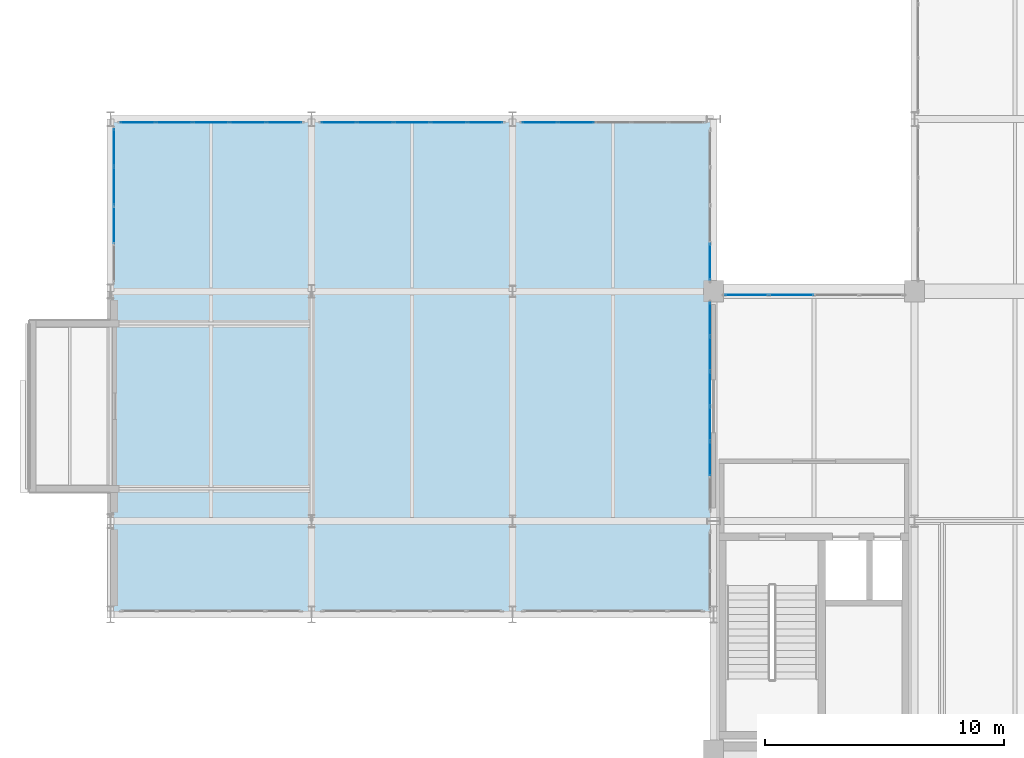
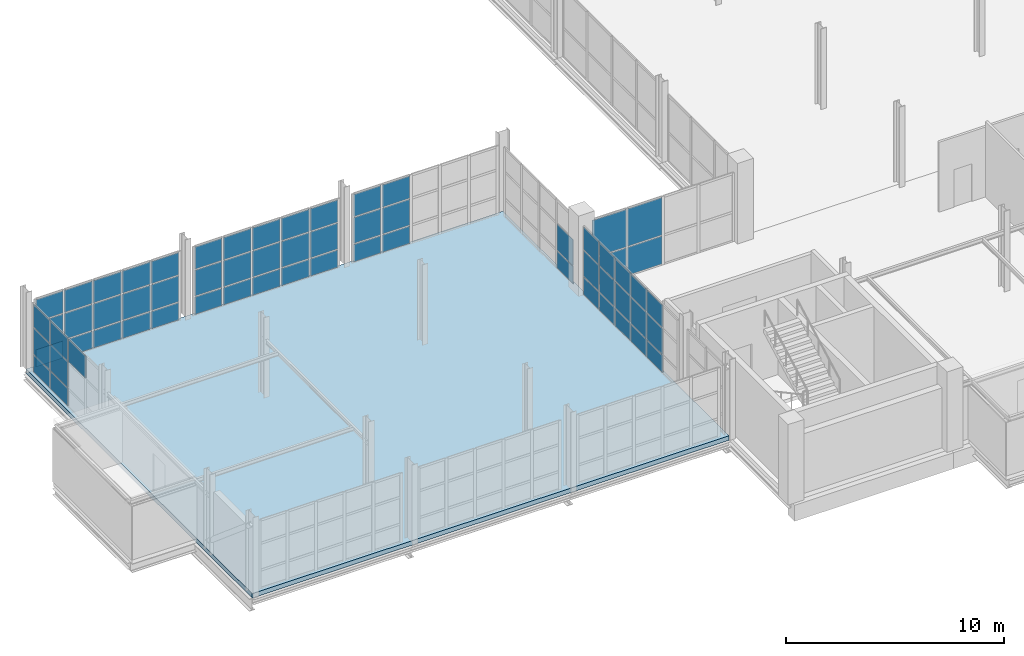
# One storey, part 86 of 109: 64 plates, 1 slab, 7 elements without a shape of their own.
"""IFC4 building model written with IfcOpenShell, lengths in metres."""

from ifc_helpers import new_model, si_unit, direction, frame, origin, origin_2d, place, context, subcontext, project, spatial, polyline, rectangle, outline, extrude, material, layer, layer_set, type_object, element, aggregate, save


model = new_model("IFC4")

# Units and contexts
model_context = context("Model", 3, precision=1e-05, world=origin(), true_north=direction((0.0, 1.0)))
body_context = subcontext(model_context, "Body", "Model", "MODEL_VIEW")
ifc_project = project(units=[si_unit("LENGTHUNIT", "METRE"), si_unit("AREAUNIT", "SQUARE_METRE"), si_unit("VOLUMEUNIT", "CUBIC_METRE"), si_unit("PLANEANGLEUNIT", "RADIAN"), si_unit("MASSUNIT", "GRAM", prefix="KILO")], contexts=[model_context])

# Site, building, storey
site_placement = place(None, origin())
site = spatial("IfcSite", under=ifc_project, at=site_placement, CompositionType="ELEMENT")
building_placement = place(site_placement, origin())
building = spatial("IfcBuilding", under=site, at=building_placement, Name="Veltarok Museum of Natural Sciences", CompositionType="ELEMENT")
storey_placement = place(building_placement, frame((0.0, 0.0, 17.39990234375)))
storey = spatial("IfcBuildingStorey", under=building, at=storey_placement, Name="L03", CompositionType="ELEMENT", Elevation=17.39990234375)

# Slab
ifc_material_1 = material(Name="Concrete C40/50", Category="concrete")
ifc_layer_1 = layer(ifc_material_1, 0.25)
ifc_layer_set_1 = layer_set([ifc_layer_1], Name="Concrete C40/50")
slab_type = type_object("IfcSlabType", Name="Paleontology Bridge Composite Deck 250", PredefinedType="FLOOR", material=ifc_layer_set_1)
slab_placement = place(storey_placement, frame((0.0, 0.0, -0.25)))
element("IfcSlab", 1, at=slab_placement, inside=storey, type_object=slab_type, Name="Floor Slab L03 V4", PredefinedType="FLOOR", context=body_context, shape_type="SweptSolid", body=[
    extrude(outline(polyline([(6.39990234375, 5.699951171875), (6.39990234375, 26.39990234375), (31.60009765625, 26.39990234375), (31.60009765625, 5.699951171875), (6.39990234375, 5.699951171875)])), origin(), (0.0, 0.0, 1.0), 0.25),
])

# Curtain wall, plates
ifc_material_2 = material(Name="Low-iron triple insulated glass", Category="glass")
curtain_wall_type_1 = type_object("IfcCurtainWallType", Name="Curtain Wall System CW-BRG-E-L03-BC-876x388 (Bridge East Court L03 BC 876x388cm)", PredefinedType="NOTDEFINED", material=ifc_material_2)
curtain_wall_1_placement = place(storey_placement, origin())
curtain_wall_1 = element("IfcCurtainWall", 2, at=curtain_wall_1_placement, inside=storey, type_object=curtain_wall_type_1, Name="Curtain Wall CW-BRG-E-L03-BC-876x388 CW-0041", PredefinedType="NOTDEFINED")
ifc_layer_2 = layer(ifc_material_2, 0.028076171875)
ifc_layer_set_2 = layer_set([ifc_layer_2], Name="Low-iron triple insulated glass")
plate_type = type_object("IfcPlateType", Name="Triple Low-Iron Glazed Vision Panel 28", PredefinedType="CURTAIN_PANEL", material=ifc_layer_set_2)
plate_1_placement = place(storey_placement, frame((31.449951171875, 12.2099609375, 0.06005859375), z_axis=(0.0, 0.0, 1.0), x_axis=(0.0, 1.0, 0.0)))
plate_1 = element("IfcPlate", 3, at=plate_1_placement, type_object=plate_type, Name="CW-BRG-E-L03-BC-876x388 panel 2.1", PredefinedType="CURTAIN_PANEL", context=body_context, shape_type="SweptSolid", body=[
    extrude(rectangle(XDim=1.39990234375, YDim=0.028076171875, at=origin_2d()), origin(), (0.0, 0.0, 1.0), 0.9599609375),
])
plate_2_placement = place(storey_placement, frame((31.449951171875, 12.2099609375, 1.080078125), z_axis=(0.0, 0.0, 1.0), x_axis=(0.0, 1.0, 0.0)))
plate_2 = element("IfcPlate", 4, at=plate_2_placement, type_object=plate_type, Name="CW-BRG-E-L03-BC-876x388 panel 2.2", PredefinedType="CURTAIN_PANEL", context=body_context, shape_type="SweptSolid", body=[
    extrude(rectangle(XDim=1.39990234375, YDim=0.028076171875, at=origin_2d()), origin(), (0.0, 0.0, 1.0), 1.43994140625),
])
plate_3_placement = place(storey_placement, frame((31.449951171875, 12.2099609375, 2.580078125), z_axis=(0.0, 0.0, 1.0), x_axis=(0.0, 1.0, 0.0)))
plate_3 = element("IfcPlate", 5, at=plate_3_placement, type_object=plate_type, Name="CW-BRG-E-L03-BC-876x388 panel 2.3", PredefinedType="CURTAIN_PANEL", context=body_context, shape_type="SweptSolid", body=[
    extrude(rectangle(XDim=1.39990234375, YDim=0.028076171875, at=origin_2d()), origin(), (0.0, 0.0, 1.0), 1.239990234375),
])
plate_4_placement = place(storey_placement, frame((31.449951171875, 13.669921875, 0.06005859375), z_axis=(0.0, 0.0, 1.0), x_axis=(0.0, 1.0, 0.0)))
plate_4 = element("IfcPlate", 6, at=plate_4_placement, type_object=plate_type, Name="CW-BRG-E-L03-BC-876x388 panel 3.1", PredefinedType="CURTAIN_PANEL", context=body_context, shape_type="SweptSolid", body=[
    extrude(rectangle(XDim=1.39990234375, YDim=0.028076171875, at=origin_2d()), origin(), (0.0, 0.0, 1.0), 0.9599609375),
])
plate_5_placement = place(storey_placement, frame((31.449951171875, 13.669921875, 1.080078125), z_axis=(0.0, 0.0, 1.0), x_axis=(0.0, 1.0, 0.0)))
plate_5 = element("IfcPlate", 7, at=plate_5_placement, type_object=plate_type, Name="CW-BRG-E-L03-BC-876x388 panel 3.2", PredefinedType="CURTAIN_PANEL", context=body_context, shape_type="SweptSolid", body=[
    extrude(rectangle(XDim=1.39990234375, YDim=0.028076171875, at=origin_2d()), origin(), (0.0, 0.0, 1.0), 1.43994140625),
])
plate_6_placement = place(storey_placement, frame((31.449951171875, 13.669921875, 2.580078125), z_axis=(0.0, 0.0, 1.0), x_axis=(0.0, 1.0, 0.0)))
plate_6 = element("IfcPlate", 8, at=plate_6_placement, type_object=plate_type, Name="CW-BRG-E-L03-BC-876x388 panel 3.3", PredefinedType="CURTAIN_PANEL", context=body_context, shape_type="SweptSolid", body=[
    extrude(rectangle(XDim=1.39990234375, YDim=0.028076171875, at=origin_2d()), origin(), (0.0, 0.0, 1.0), 1.239990234375),
])
plate_7_placement = place(storey_placement, frame((31.449951171875, 15.1298828125, 0.06005859375), z_axis=(0.0, 0.0, 1.0), x_axis=(0.0, 1.0, 0.0)))
plate_7 = element("IfcPlate", 9, at=plate_7_placement, type_object=plate_type, Name="CW-BRG-E-L03-BC-876x388 panel 4.1", PredefinedType="CURTAIN_PANEL", context=body_context, shape_type="SweptSolid", body=[
    extrude(rectangle(XDim=1.39990234375, YDim=0.028076171875, at=origin_2d()), origin(), (0.0, 0.0, 1.0), 0.9599609375),
])
plate_8_placement = place(storey_placement, frame((31.449951171875, 15.1298828125, 1.080078125), z_axis=(0.0, 0.0, 1.0), x_axis=(0.0, 1.0, 0.0)))
plate_8 = element("IfcPlate", 10, at=plate_8_placement, type_object=plate_type, Name="CW-BRG-E-L03-BC-876x388 panel 4.2", PredefinedType="CURTAIN_PANEL", context=body_context, shape_type="SweptSolid", body=[
    extrude(rectangle(XDim=1.39990234375, YDim=0.028076171875, at=origin_2d()), origin(), (0.0, 0.0, 1.0), 1.43994140625),
])
plate_9_placement = place(storey_placement, frame((31.449951171875, 15.1298828125, 2.580078125), z_axis=(0.0, 0.0, 1.0), x_axis=(0.0, 1.0, 0.0)))
plate_9 = element("IfcPlate", 11, at=plate_9_placement, type_object=plate_type, Name="CW-BRG-E-L03-BC-876x388 panel 4.3", PredefinedType="CURTAIN_PANEL", context=body_context, shape_type="SweptSolid", body=[
    extrude(rectangle(XDim=1.39990234375, YDim=0.028076171875, at=origin_2d()), origin(), (0.0, 0.0, 1.0), 1.239990234375),
])
plate_10_placement = place(storey_placement, frame((31.449951171875, 16.590087890625, 0.06005859375), z_axis=(0.0, 0.0, 1.0), x_axis=(0.0, 1.0, 0.0)))
plate_10 = element("IfcPlate", 12, at=plate_10_placement, type_object=plate_type, Name="CW-BRG-E-L03-BC-876x388 panel 5.1", PredefinedType="CURTAIN_PANEL", context=body_context, shape_type="SweptSolid", body=[
    extrude(rectangle(XDim=1.39990234375, YDim=0.028076171875, at=origin_2d()), origin(), (0.0, 0.0, 1.0), 0.9599609375),
])
plate_11_placement = place(storey_placement, frame((31.449951171875, 16.590087890625, 1.080078125), z_axis=(0.0, 0.0, 1.0), x_axis=(0.0, 1.0, 0.0)))
plate_11 = element("IfcPlate", 13, at=plate_11_placement, type_object=plate_type, Name="CW-BRG-E-L03-BC-876x388 panel 5.2", PredefinedType="CURTAIN_PANEL", context=body_context, shape_type="SweptSolid", body=[
    extrude(rectangle(XDim=1.39990234375, YDim=0.028076171875, at=origin_2d()), origin(), (0.0, 0.0, 1.0), 1.43994140625),
])
plate_12_placement = place(storey_placement, frame((31.449951171875, 16.590087890625, 2.580078125), z_axis=(0.0, 0.0, 1.0), x_axis=(0.0, 1.0, 0.0)))
plate_12 = element("IfcPlate", 14, at=plate_12_placement, type_object=plate_type, Name="CW-BRG-E-L03-BC-876x388 panel 5.3", PredefinedType="CURTAIN_PANEL", context=body_context, shape_type="SweptSolid", body=[
    extrude(rectangle(XDim=1.39990234375, YDim=0.028076171875, at=origin_2d()), origin(), (0.0, 0.0, 1.0), 1.239990234375),
])
plate_13_placement = place(storey_placement, frame((31.449951171875, 18.034912109375, 0.06005859375), z_axis=(0.0, 0.0, 1.0), x_axis=(0.0, 1.0, 0.0)))
plate_13 = element("IfcPlate", 15, at=plate_13_placement, type_object=plate_type, Name="CW-BRG-E-L03-BC-876x388 panel 6.1", PredefinedType="CURTAIN_PANEL", context=body_context, shape_type="SweptSolid", body=[
    extrude(rectangle(XDim=1.3701171875, YDim=0.028076171875, at=origin_2d()), origin(), (0.0, 0.0, 1.0), 0.9599609375),
])
plate_14_placement = place(storey_placement, frame((31.449951171875, 18.034912109375, 1.080078125), z_axis=(0.0, 0.0, 1.0), x_axis=(0.0, 1.0, 0.0)))
plate_14 = element("IfcPlate", 16, at=plate_14_placement, type_object=plate_type, Name="CW-BRG-E-L03-BC-876x388 panel 6.2", PredefinedType="CURTAIN_PANEL", context=body_context, shape_type="SweptSolid", body=[
    extrude(rectangle(XDim=1.3701171875, YDim=0.028076171875, at=origin_2d()), origin(), (0.0, 0.0, 1.0), 1.43994140625),
])
plate_15_placement = place(storey_placement, frame((31.449951171875, 18.034912109375, 2.580078125), z_axis=(0.0, 0.0, 1.0), x_axis=(0.0, 1.0, 0.0)))
plate_15 = element("IfcPlate", 17, at=plate_15_placement, type_object=plate_type, Name="CW-BRG-E-L03-BC-876x388 panel 6.3", PredefinedType="CURTAIN_PANEL", context=body_context, shape_type="SweptSolid", body=[
    extrude(rectangle(XDim=1.3701171875, YDim=0.028076171875, at=origin_2d()), origin(), (0.0, 0.0, 1.0), 1.239990234375),
])
aggregate(curtain_wall_1, [plate_1, plate_2, plate_3, plate_4, plate_5, plate_6, plate_7, plate_8, plate_9, plate_10, plate_11, plate_12, plate_13, plate_14, plate_15])

curtain_wall_type_2 = type_object("IfcCurtainWallType", Name="Curtain Wall System CW-BRG-E-L03-CD-636x388 (Bridge East Court L03 CD 636x388cm)", PredefinedType="NOTDEFINED", material=ifc_material_2)
curtain_wall_2_placement = place(storey_placement, origin())
curtain_wall_2 = element("IfcCurtainWall", 18, at=curtain_wall_2_placement, inside=storey, type_object=curtain_wall_type_2, Name="Curtain Wall CW-BRG-E-L03-CD-636x388 CW-0042", PredefinedType="NOTDEFINED")
plate_16_placement = place(storey_placement, frame((31.449951171875, 20.429931640625, 0.06005859375), z_axis=(0.0, 0.0, 1.0), x_axis=(0.0, 1.0, 0.0)))
plate_16 = element("IfcPlate", 19, at=plate_16_placement, type_object=plate_type, Name="CW-BRG-E-L03-CD-636x388 panel 1.1", PredefinedType="CURTAIN_PANEL", context=body_context, shape_type="SweptSolid", body=[
    extrude(rectangle(XDim=1.5, YDim=0.028076171875, at=origin_2d()), origin(), (0.0, 0.0, 1.0), 0.9599609375),
])
plate_17_placement = place(storey_placement, frame((31.449951171875, 20.429931640625, 1.080078125), z_axis=(0.0, 0.0, 1.0), x_axis=(0.0, 1.0, 0.0)))
plate_17 = element("IfcPlate", 20, at=plate_17_placement, type_object=plate_type, Name="CW-BRG-E-L03-CD-636x388 panel 1.2", PredefinedType="CURTAIN_PANEL", context=body_context, shape_type="SweptSolid", body=[
    extrude(rectangle(XDim=1.5, YDim=0.028076171875, at=origin_2d()), origin(), (0.0, 0.0, 1.0), 1.43994140625),
])
aggregate(curtain_wall_2, [plate_16, plate_17])

curtain_wall_type_3 = type_object("IfcCurtainWallType", Name="Curtain Wall System CW-BRG-N-L03-1-768x388 (Bridge North Court L03 1-2 768x388cm)", PredefinedType="NOTDEFINED", material=ifc_material_2)
curtain_wall_3_placement = place(storey_placement, origin())
curtain_wall_3 = element("IfcCurtainWall", 21, at=curtain_wall_3_placement, inside=storey, type_object=curtain_wall_type_3, Name="Curtain Wall CW-BRG-N-L03-1-768x388 CW-0043", PredefinedType="NOTDEFINED")
plate_18_placement = place(storey_placement, frame((13.656982421875, 26.25, 0.06005859375), z_axis=(0.0, 0.0, 1.0), x_axis=(-1.0, 0.0, 0.0)))
plate_18 = element("IfcPlate", 22, at=plate_18_placement, type_object=plate_type, Name="CW-BRG-N-L03-1-768x388 panel 1.1", PredefinedType="CURTAIN_PANEL", context=body_context, shape_type="SweptSolid", body=[
    extrude(rectangle(XDim=1.446044921875, YDim=0.028076171875, at=origin_2d()), origin(), (0.0, 0.0, 1.0), 0.9599609375),
])
plate_19_placement = place(storey_placement, frame((13.656982421875, 26.25, 1.080078125), z_axis=(0.0, 0.0, 1.0), x_axis=(-1.0, 0.0, 0.0)))
plate_19 = element("IfcPlate", 23, at=plate_19_placement, type_object=plate_type, Name="CW-BRG-N-L03-1-768x388 panel 1.2", PredefinedType="CURTAIN_PANEL", context=body_context, shape_type="SweptSolid", body=[
    extrude(rectangle(XDim=1.446044921875, YDim=0.028076171875, at=origin_2d()), origin(), (0.0, 0.0, 1.0), 1.43994140625),
])
plate_20_placement = place(storey_placement, frame((13.656982421875, 26.25, 2.580078125), z_axis=(0.0, 0.0, 1.0), x_axis=(-1.0, 0.0, 0.0)))
plate_20 = element("IfcPlate", 24, at=plate_20_placement, type_object=plate_type, Name="CW-BRG-N-L03-1-768x388 panel 1.3", PredefinedType="CURTAIN_PANEL", context=body_context, shape_type="SweptSolid", body=[
    extrude(rectangle(XDim=1.446044921875, YDim=0.028076171875, at=origin_2d()), origin(), (0.0, 0.0, 1.0), 1.239990234375),
])
plate_21_placement = place(storey_placement, frame((12.135986328125, 26.25, 0.06005859375), z_axis=(0.0, 0.0, 1.0), x_axis=(-1.0, 0.0, 0.0)))
plate_21 = element("IfcPlate", 25, at=plate_21_placement, type_object=plate_type, Name="CW-BRG-N-L03-1-768x388 panel 2.1", PredefinedType="CURTAIN_PANEL", context=body_context, shape_type="SweptSolid", body=[
    extrude(rectangle(XDim=1.47607421875, YDim=0.028076171875, at=origin_2d()), origin(), (0.0, 0.0, 1.0), 0.9599609375),
])
plate_22_placement = place(storey_placement, frame((12.135986328125, 26.25, 1.080078125), z_axis=(0.0, 0.0, 1.0), x_axis=(-1.0, 0.0, 0.0)))
plate_22 = element("IfcPlate", 26, at=plate_22_placement, type_object=plate_type, Name="CW-BRG-N-L03-1-768x388 panel 2.2", PredefinedType="CURTAIN_PANEL", context=body_context, shape_type="SweptSolid", body=[
    extrude(rectangle(XDim=1.47607421875, YDim=0.028076171875, at=origin_2d()), origin(), (0.0, 0.0, 1.0), 1.43994140625),
])
plate_23_placement = place(storey_placement, frame((12.135986328125, 26.25, 2.580078125), z_axis=(0.0, 0.0, 1.0), x_axis=(-1.0, 0.0, 0.0)))
plate_23 = element("IfcPlate", 27, at=plate_23_placement, type_object=plate_type, Name="CW-BRG-N-L03-1-768x388 panel 2.3", PredefinedType="CURTAIN_PANEL", context=body_context, shape_type="SweptSolid", body=[
    extrude(rectangle(XDim=1.47607421875, YDim=0.028076171875, at=origin_2d()), origin(), (0.0, 0.0, 1.0), 1.239990234375),
])
plate_24_placement = place(storey_placement, frame((10.60009765625, 26.25, 0.06005859375), z_axis=(0.0, 0.0, 1.0), x_axis=(-1.0, 0.0, 0.0)))
plate_24 = element("IfcPlate", 28, at=plate_24_placement, type_object=plate_type, Name="CW-BRG-N-L03-1-768x388 panel 3.1", PredefinedType="CURTAIN_PANEL", context=body_context, shape_type="SweptSolid", body=[
    extrude(rectangle(XDim=1.47607421875, YDim=0.028076171875, at=origin_2d()), origin(), (0.0, 0.0, 1.0), 0.9599609375),
])
plate_25_placement = place(storey_placement, frame((10.60009765625, 26.25, 1.080078125), z_axis=(0.0, 0.0, 1.0), x_axis=(-1.0, 0.0, 0.0)))
plate_25 = element("IfcPlate", 29, at=plate_25_placement, type_object=plate_type, Name="CW-BRG-N-L03-1-768x388 panel 3.2", PredefinedType="CURTAIN_PANEL", context=body_context, shape_type="SweptSolid", body=[
    extrude(rectangle(XDim=1.47607421875, YDim=0.028076171875, at=origin_2d()), origin(), (0.0, 0.0, 1.0), 1.43994140625),
])
plate_26_placement = place(storey_placement, frame((10.60009765625, 26.25, 2.580078125), z_axis=(0.0, 0.0, 1.0), x_axis=(-1.0, 0.0, 0.0)))
plate_26 = element("IfcPlate", 30, at=plate_26_placement, type_object=plate_type, Name="CW-BRG-N-L03-1-768x388 panel 3.3", PredefinedType="CURTAIN_PANEL", context=body_context, shape_type="SweptSolid", body=[
    extrude(rectangle(XDim=1.47607421875, YDim=0.028076171875, at=origin_2d()), origin(), (0.0, 0.0, 1.0), 1.239990234375),
])
plate_27_placement = place(storey_placement, frame((9.06396484375, 26.25, 0.06005859375), z_axis=(0.0, 0.0, 1.0), x_axis=(-1.0, 0.0, 0.0)))
plate_27 = element("IfcPlate", 31, at=plate_27_placement, type_object=plate_type, Name="CW-BRG-N-L03-1-768x388 panel 4.1", PredefinedType="CURTAIN_PANEL", context=body_context, shape_type="SweptSolid", body=[
    extrude(rectangle(XDim=1.47607421875, YDim=0.028076171875, at=origin_2d()), origin(), (0.0, 0.0, 1.0), 0.9599609375),
])
plate_28_placement = place(storey_placement, frame((9.06396484375, 26.25, 1.080078125), z_axis=(0.0, 0.0, 1.0), x_axis=(-1.0, 0.0, 0.0)))
plate_28 = element("IfcPlate", 32, at=plate_28_placement, type_object=plate_type, Name="CW-BRG-N-L03-1-768x388 panel 4.2", PredefinedType="CURTAIN_PANEL", context=body_context, shape_type="SweptSolid", body=[
    extrude(rectangle(XDim=1.47607421875, YDim=0.028076171875, at=origin_2d()), origin(), (0.0, 0.0, 1.0), 1.43994140625),
])
plate_29_placement = place(storey_placement, frame((9.06396484375, 26.25, 2.580078125), z_axis=(0.0, 0.0, 1.0), x_axis=(-1.0, 0.0, 0.0)))
plate_29 = element("IfcPlate", 33, at=plate_29_placement, type_object=plate_type, Name="CW-BRG-N-L03-1-768x388 panel 4.3", PredefinedType="CURTAIN_PANEL", context=body_context, shape_type="SweptSolid", body=[
    extrude(rectangle(XDim=1.47607421875, YDim=0.028076171875, at=origin_2d()), origin(), (0.0, 0.0, 1.0), 1.239990234375),
])
plate_30_placement = place(storey_placement, frame((7.54296875, 26.25, 0.06005859375), z_axis=(0.0, 0.0, 1.0), x_axis=(-1.0, 0.0, 0.0)))
plate_30 = element("IfcPlate", 34, at=plate_30_placement, type_object=plate_type, Name="CW-BRG-N-L03-1-768x388 panel 5.1", PredefinedType="CURTAIN_PANEL", context=body_context, shape_type="SweptSolid", body=[
    extrude(rectangle(XDim=1.446044921875, YDim=0.028076171875, at=origin_2d()), origin(), (0.0, 0.0, 1.0), 0.9599609375),
])
plate_31_placement = place(storey_placement, frame((7.54296875, 26.25, 1.080078125), z_axis=(0.0, 0.0, 1.0), x_axis=(-1.0, 0.0, 0.0)))
plate_31 = element("IfcPlate", 35, at=plate_31_placement, type_object=plate_type, Name="CW-BRG-N-L03-1-768x388 panel 5.2", PredefinedType="CURTAIN_PANEL", context=body_context, shape_type="SweptSolid", body=[
    extrude(rectangle(XDim=1.446044921875, YDim=0.028076171875, at=origin_2d()), origin(), (0.0, 0.0, 1.0), 1.43994140625),
])
plate_32_placement = place(storey_placement, frame((7.54296875, 26.25, 2.580078125), z_axis=(0.0, 0.0, 1.0), x_axis=(-1.0, 0.0, 0.0)))
plate_32 = element("IfcPlate", 36, at=plate_32_placement, type_object=plate_type, Name="CW-BRG-N-L03-1-768x388 panel 5.3", PredefinedType="CURTAIN_PANEL", context=body_context, shape_type="SweptSolid", body=[
    extrude(rectangle(XDim=1.446044921875, YDim=0.028076171875, at=origin_2d()), origin(), (0.0, 0.0, 1.0), 1.239990234375),
])
aggregate(curtain_wall_3, [plate_18, plate_19, plate_20, plate_21, plate_22, plate_23, plate_24, plate_25, plate_26, plate_27, plate_28, plate_29, plate_30, plate_31, plate_32])

curtain_wall_type_4 = type_object("IfcCurtainWallType", Name="Curtain Wall System CW-BRG-N-L03-2-768x388 (Bridge North Court L03 2-3 768x388cm)", PredefinedType="NOTDEFINED", material=ifc_material_2)
curtain_wall_4_placement = place(storey_placement, origin())
curtain_wall_4 = element("IfcCurtainWall", 37, at=curtain_wall_4_placement, inside=storey, type_object=curtain_wall_type_4, Name="Curtain Wall CW-BRG-N-L03-2-768x388 CW-0044", PredefinedType="NOTDEFINED")
plate_33_placement = place(storey_placement, frame((22.056884765625, 26.25, 0.06005859375), z_axis=(0.0, 0.0, 1.0), x_axis=(-1.0, 0.0, 0.0)))
plate_33 = element("IfcPlate", 38, at=plate_33_placement, type_object=plate_type, Name="CW-BRG-N-L03-2-768x388 panel 1.1", PredefinedType="CURTAIN_PANEL", context=body_context, shape_type="SweptSolid", body=[
    extrude(rectangle(XDim=1.446044921875, YDim=0.028076171875, at=origin_2d()), origin(), (0.0, 0.0, 1.0), 0.9599609375),
])
plate_34_placement = place(storey_placement, frame((22.056884765625, 26.25, 1.080078125), z_axis=(0.0, 0.0, 1.0), x_axis=(-1.0, 0.0, 0.0)))
plate_34 = element("IfcPlate", 39, at=plate_34_placement, type_object=plate_type, Name="CW-BRG-N-L03-2-768x388 panel 1.2", PredefinedType="CURTAIN_PANEL", context=body_context, shape_type="SweptSolid", body=[
    extrude(rectangle(XDim=1.446044921875, YDim=0.028076171875, at=origin_2d()), origin(), (0.0, 0.0, 1.0), 1.43994140625),
])
plate_35_placement = place(storey_placement, frame((22.056884765625, 26.25, 2.580078125), z_axis=(0.0, 0.0, 1.0), x_axis=(-1.0, 0.0, 0.0)))
plate_35 = element("IfcPlate", 40, at=plate_35_placement, type_object=plate_type, Name="CW-BRG-N-L03-2-768x388 panel 1.3", PredefinedType="CURTAIN_PANEL", context=body_context, shape_type="SweptSolid", body=[
    extrude(rectangle(XDim=1.446044921875, YDim=0.028076171875, at=origin_2d()), origin(), (0.0, 0.0, 1.0), 1.239990234375),
])
plate_36_placement = place(storey_placement, frame((20.535888671875, 26.25, 0.06005859375), z_axis=(0.0, 0.0, 1.0), x_axis=(-1.0, 0.0, 0.0)))
plate_36 = element("IfcPlate", 41, at=plate_36_placement, type_object=plate_type, Name="CW-BRG-N-L03-2-768x388 panel 2.1", PredefinedType="CURTAIN_PANEL", context=body_context, shape_type="SweptSolid", body=[
    extrude(rectangle(XDim=1.47607421875, YDim=0.028076171875, at=origin_2d()), origin(), (0.0, 0.0, 1.0), 0.9599609375),
])
plate_37_placement = place(storey_placement, frame((20.535888671875, 26.25, 1.080078125), z_axis=(0.0, 0.0, 1.0), x_axis=(-1.0, 0.0, 0.0)))
plate_37 = element("IfcPlate", 42, at=plate_37_placement, type_object=plate_type, Name="CW-BRG-N-L03-2-768x388 panel 2.2", PredefinedType="CURTAIN_PANEL", context=body_context, shape_type="SweptSolid", body=[
    extrude(rectangle(XDim=1.47607421875, YDim=0.028076171875, at=origin_2d()), origin(), (0.0, 0.0, 1.0), 1.43994140625),
])
plate_38_placement = place(storey_placement, frame((20.535888671875, 26.25, 2.580078125), z_axis=(0.0, 0.0, 1.0), x_axis=(-1.0, 0.0, 0.0)))
plate_38 = element("IfcPlate", 43, at=plate_38_placement, type_object=plate_type, Name="CW-BRG-N-L03-2-768x388 panel 2.3", PredefinedType="CURTAIN_PANEL", context=body_context, shape_type="SweptSolid", body=[
    extrude(rectangle(XDim=1.47607421875, YDim=0.028076171875, at=origin_2d()), origin(), (0.0, 0.0, 1.0), 1.239990234375),
])
plate_39_placement = place(storey_placement, frame((19.0, 26.25, 0.06005859375), z_axis=(0.0, 0.0, 1.0), x_axis=(-1.0, 0.0, 0.0)))
plate_39 = element("IfcPlate", 44, at=plate_39_placement, type_object=plate_type, Name="CW-BRG-N-L03-2-768x388 panel 3.1", PredefinedType="CURTAIN_PANEL", context=body_context, shape_type="SweptSolid", body=[
    extrude(rectangle(XDim=1.47607421875, YDim=0.028076171875, at=origin_2d()), origin(), (0.0, 0.0, 1.0), 0.9599609375),
])
plate_40_placement = place(storey_placement, frame((19.0, 26.25, 1.080078125), z_axis=(0.0, 0.0, 1.0), x_axis=(-1.0, 0.0, 0.0)))
plate_40 = element("IfcPlate", 45, at=plate_40_placement, type_object=plate_type, Name="CW-BRG-N-L03-2-768x388 panel 3.2", PredefinedType="CURTAIN_PANEL", context=body_context, shape_type="SweptSolid", body=[
    extrude(rectangle(XDim=1.47607421875, YDim=0.028076171875, at=origin_2d()), origin(), (0.0, 0.0, 1.0), 1.43994140625),
])
plate_41_placement = place(storey_placement, frame((19.0, 26.25, 2.580078125), z_axis=(0.0, 0.0, 1.0), x_axis=(-1.0, 0.0, 0.0)))
plate_41 = element("IfcPlate", 46, at=plate_41_placement, type_object=plate_type, Name="CW-BRG-N-L03-2-768x388 panel 3.3", PredefinedType="CURTAIN_PANEL", context=body_context, shape_type="SweptSolid", body=[
    extrude(rectangle(XDim=1.47607421875, YDim=0.028076171875, at=origin_2d()), origin(), (0.0, 0.0, 1.0), 1.239990234375),
])
plate_42_placement = place(storey_placement, frame((17.464111328125, 26.25, 0.06005859375), z_axis=(0.0, 0.0, 1.0), x_axis=(-1.0, 0.0, 0.0)))
plate_42 = element("IfcPlate", 47, at=plate_42_placement, type_object=plate_type, Name="CW-BRG-N-L03-2-768x388 panel 4.1", PredefinedType="CURTAIN_PANEL", context=body_context, shape_type="SweptSolid", body=[
    extrude(rectangle(XDim=1.47607421875, YDim=0.028076171875, at=origin_2d()), origin(), (0.0, 0.0, 1.0), 0.9599609375),
])
plate_43_placement = place(storey_placement, frame((17.464111328125, 26.25, 1.080078125), z_axis=(0.0, 0.0, 1.0), x_axis=(-1.0, 0.0, 0.0)))
plate_43 = element("IfcPlate", 48, at=plate_43_placement, type_object=plate_type, Name="CW-BRG-N-L03-2-768x388 panel 4.2", PredefinedType="CURTAIN_PANEL", context=body_context, shape_type="SweptSolid", body=[
    extrude(rectangle(XDim=1.47607421875, YDim=0.028076171875, at=origin_2d()), origin(), (0.0, 0.0, 1.0), 1.43994140625),
])
plate_44_placement = place(storey_placement, frame((17.464111328125, 26.25, 2.580078125), z_axis=(0.0, 0.0, 1.0), x_axis=(-1.0, 0.0, 0.0)))
plate_44 = element("IfcPlate", 49, at=plate_44_placement, type_object=plate_type, Name="CW-BRG-N-L03-2-768x388 panel 4.3", PredefinedType="CURTAIN_PANEL", context=body_context, shape_type="SweptSolid", body=[
    extrude(rectangle(XDim=1.47607421875, YDim=0.028076171875, at=origin_2d()), origin(), (0.0, 0.0, 1.0), 1.239990234375),
])
plate_45_placement = place(storey_placement, frame((15.943115234375, 26.25, 0.06005859375), z_axis=(0.0, 0.0, 1.0), x_axis=(-1.0, 0.0, 0.0)))
plate_45 = element("IfcPlate", 50, at=plate_45_placement, type_object=plate_type, Name="CW-BRG-N-L03-2-768x388 panel 5.1", PredefinedType="CURTAIN_PANEL", context=body_context, shape_type="SweptSolid", body=[
    extrude(rectangle(XDim=1.446044921875, YDim=0.028076171875, at=origin_2d()), origin(), (0.0, 0.0, 1.0), 0.9599609375),
])
plate_46_placement = place(storey_placement, frame((15.943115234375, 26.25, 1.080078125), z_axis=(0.0, 0.0, 1.0), x_axis=(-1.0, 0.0, 0.0)))
plate_46 = element("IfcPlate", 51, at=plate_46_placement, type_object=plate_type, Name="CW-BRG-N-L03-2-768x388 panel 5.2", PredefinedType="CURTAIN_PANEL", context=body_context, shape_type="SweptSolid", body=[
    extrude(rectangle(XDim=1.446044921875, YDim=0.028076171875, at=origin_2d()), origin(), (0.0, 0.0, 1.0), 1.43994140625),
])
plate_47_placement = place(storey_placement, frame((15.943115234375, 26.25, 2.580078125), z_axis=(0.0, 0.0, 1.0), x_axis=(-1.0, 0.0, 0.0)))
plate_47 = element("IfcPlate", 52, at=plate_47_placement, type_object=plate_type, Name="CW-BRG-N-L03-2-768x388 panel 5.3", PredefinedType="CURTAIN_PANEL", context=body_context, shape_type="SweptSolid", body=[
    extrude(rectangle(XDim=1.446044921875, YDim=0.028076171875, at=origin_2d()), origin(), (0.0, 0.0, 1.0), 1.239990234375),
])
aggregate(curtain_wall_4, [plate_33, plate_34, plate_35, plate_36, plate_37, plate_38, plate_39, plate_40, plate_41, plate_42, plate_43, plate_44, plate_45, plate_46, plate_47])

curtain_wall_type_5 = type_object("IfcCurtainWallType", Name="Curtain Wall System CW-BRG-N-L03-3-768x388 (Bridge North Court L03 3-4 768x388cm)", PredefinedType="NOTDEFINED", material=ifc_material_2)
curtain_wall_5_placement = place(storey_placement, origin())
curtain_wall_5 = element("IfcCurtainWall", 53, at=curtain_wall_5_placement, inside=storey, type_object=curtain_wall_type_5, Name="Curtain Wall CW-BRG-N-L03-3-768x388 CW-0045", PredefinedType="NOTDEFINED")
plate_48_placement = place(storey_placement, frame((25.864013671875, 26.25, 0.06005859375), z_axis=(0.0, 0.0, 1.0), x_axis=(-1.0, 0.0, 0.0)))
plate_48 = element("IfcPlate", 54, at=plate_48_placement, type_object=plate_type, Name="CW-BRG-N-L03-3-768x388 panel 4.1", PredefinedType="CURTAIN_PANEL", context=body_context, shape_type="SweptSolid", body=[
    extrude(rectangle(XDim=1.47607421875, YDim=0.028076171875, at=origin_2d()), origin(), (0.0, 0.0, 1.0), 0.9599609375),
])
plate_49_placement = place(storey_placement, frame((25.864013671875, 26.25, 1.080078125), z_axis=(0.0, 0.0, 1.0), x_axis=(-1.0, 0.0, 0.0)))
plate_49 = element("IfcPlate", 55, at=plate_49_placement, type_object=plate_type, Name="CW-BRG-N-L03-3-768x388 panel 4.2", PredefinedType="CURTAIN_PANEL", context=body_context, shape_type="SweptSolid", body=[
    extrude(rectangle(XDim=1.47607421875, YDim=0.028076171875, at=origin_2d()), origin(), (0.0, 0.0, 1.0), 1.43994140625),
])
plate_50_placement = place(storey_placement, frame((25.864013671875, 26.25, 2.580078125), z_axis=(0.0, 0.0, 1.0), x_axis=(-1.0, 0.0, 0.0)))
plate_50 = element("IfcPlate", 56, at=plate_50_placement, type_object=plate_type, Name="CW-BRG-N-L03-3-768x388 panel 4.3", PredefinedType="CURTAIN_PANEL", context=body_context, shape_type="SweptSolid", body=[
    extrude(rectangle(XDim=1.47607421875, YDim=0.028076171875, at=origin_2d()), origin(), (0.0, 0.0, 1.0), 1.239990234375),
])
plate_51_placement = place(storey_placement, frame((24.343017578125, 26.25, 0.06005859375), z_axis=(0.0, 0.0, 1.0), x_axis=(-1.0, 0.0, 0.0)))
plate_51 = element("IfcPlate", 57, at=plate_51_placement, type_object=plate_type, Name="CW-BRG-N-L03-3-768x388 panel 5.1", PredefinedType="CURTAIN_PANEL", context=body_context, shape_type="SweptSolid", body=[
    extrude(rectangle(XDim=1.446044921875, YDim=0.028076171875, at=origin_2d()), origin(), (0.0, 0.0, 1.0), 0.9599609375),
])
plate_52_placement = place(storey_placement, frame((24.343017578125, 26.25, 1.080078125), z_axis=(0.0, 0.0, 1.0), x_axis=(-1.0, 0.0, 0.0)))
plate_52 = element("IfcPlate", 58, at=plate_52_placement, type_object=plate_type, Name="CW-BRG-N-L03-3-768x388 panel 5.2", PredefinedType="CURTAIN_PANEL", context=body_context, shape_type="SweptSolid", body=[
    extrude(rectangle(XDim=1.446044921875, YDim=0.028076171875, at=origin_2d()), origin(), (0.0, 0.0, 1.0), 1.43994140625),
])
plate_53_placement = place(storey_placement, frame((24.343017578125, 26.25, 2.580078125), z_axis=(0.0, 0.0, 1.0), x_axis=(-1.0, 0.0, 0.0)))
plate_53 = element("IfcPlate", 59, at=plate_53_placement, type_object=plate_type, Name="CW-BRG-N-L03-3-768x388 panel 5.3", PredefinedType="CURTAIN_PANEL", context=body_context, shape_type="SweptSolid", body=[
    extrude(rectangle(XDim=1.446044921875, YDim=0.028076171875, at=origin_2d()), origin(), (0.0, 0.0, 1.0), 1.239990234375),
])
aggregate(curtain_wall_5, [plate_48, plate_49, plate_50, plate_51, plate_52, plate_53])

curtain_wall_type_6 = type_object("IfcCurtainWallType", Name="Curtain Wall System CW-BRG-W-L03-CD-648x388 (Bridge West Forecourt L03 C-D 648x388cm)", PredefinedType="NOTDEFINED", material=ifc_material_2)
curtain_wall_6_placement = place(storey_placement, origin())
curtain_wall_6 = element("IfcCurtainWall", 60, at=curtain_wall_6_placement, inside=storey, type_object=curtain_wall_type_6, Name="Curtain Wall CW-BRG-W-L03-CD-648x388 CW-0046", PredefinedType="NOTDEFINED")
plate_54_placement = place(storey_placement, frame((6.550048828125, 25.215087890625, 0.06005859375), z_axis=(0.0, 0.0, 1.0), x_axis=(0.0, -1.0, 0.0)))
plate_54 = element("IfcPlate", 61, at=plate_54_placement, type_object=plate_type, Name="CW-BRG-W-L03-CD-648x388 panel 1.1", PredefinedType="CURTAIN_PANEL", context=body_context, shape_type="SweptSolid", body=[
    extrude(rectangle(XDim=1.530029296875, YDim=0.028076171875, at=origin_2d()), origin(), (0.0, 0.0, 1.0), 0.9599609375),
])
plate_55_placement = place(storey_placement, frame((6.550048828125, 25.215087890625, 1.080078125), z_axis=(0.0, 0.0, 1.0), x_axis=(0.0, -1.0, 0.0)))
plate_55 = element("IfcPlate", 62, at=plate_55_placement, type_object=plate_type, Name="CW-BRG-W-L03-CD-648x388 panel 1.2", PredefinedType="CURTAIN_PANEL", context=body_context, shape_type="SweptSolid", body=[
    extrude(rectangle(XDim=1.530029296875, YDim=0.028076171875, at=origin_2d()), origin(), (0.0, 0.0, 1.0), 1.43994140625),
])
plate_56_placement = place(storey_placement, frame((6.550048828125, 25.215087890625, 2.580078125), z_axis=(0.0, 0.0, 1.0), x_axis=(0.0, -1.0, 0.0)))
plate_56 = element("IfcPlate", 63, at=plate_56_placement, type_object=plate_type, Name="CW-BRG-W-L03-CD-648x388 panel 1.3", PredefinedType="CURTAIN_PANEL", context=body_context, shape_type="SweptSolid", body=[
    extrude(rectangle(XDim=1.530029296875, YDim=0.028076171875, at=origin_2d()), origin(), (0.0, 0.0, 1.0), 1.239990234375),
])
plate_57_placement = place(storey_placement, frame((6.550048828125, 23.610107421875, 0.06005859375), z_axis=(0.0, 0.0, 1.0), x_axis=(0.0, -1.0, 0.0)))
plate_57 = element("IfcPlate", 64, at=plate_57_placement, type_object=plate_type, Name="CW-BRG-W-L03-CD-648x388 panel 2.1", PredefinedType="CURTAIN_PANEL", context=body_context, shape_type="SweptSolid", body=[
    extrude(rectangle(XDim=1.56005859375, YDim=0.028076171875, at=origin_2d()), origin(), (0.0, 0.0, 1.0), 0.9599609375),
])
plate_58_placement = place(storey_placement, frame((6.550048828125, 23.610107421875, 1.080078125), z_axis=(0.0, 0.0, 1.0), x_axis=(0.0, -1.0, 0.0)))
plate_58 = element("IfcPlate", 65, at=plate_58_placement, type_object=plate_type, Name="CW-BRG-W-L03-CD-648x388 panel 2.2", PredefinedType="CURTAIN_PANEL", context=body_context, shape_type="SweptSolid", body=[
    extrude(rectangle(XDim=1.56005859375, YDim=0.028076171875, at=origin_2d()), origin(), (0.0, 0.0, 1.0), 1.43994140625),
])
plate_59_placement = place(storey_placement, frame((6.550048828125, 23.610107421875, 2.580078125), z_axis=(0.0, 0.0, 1.0), x_axis=(0.0, -1.0, 0.0)))
plate_59 = element("IfcPlate", 66, at=plate_59_placement, type_object=plate_type, Name="CW-BRG-W-L03-CD-648x388 panel 2.3", PredefinedType="CURTAIN_PANEL", context=body_context, shape_type="SweptSolid", body=[
    extrude(rectangle(XDim=1.56005859375, YDim=0.028076171875, at=origin_2d()), origin(), (0.0, 0.0, 1.0), 1.239990234375),
])
plate_60_placement = place(storey_placement, frame((6.550048828125, 21.989990234375, 2.580078125), z_axis=(0.0, 0.0, 1.0), x_axis=(0.0, -1.0, 0.0)))
plate_60 = element("IfcPlate", 67, at=plate_60_placement, type_object=plate_type, Name="CW-BRG-W-L03-CD-648x388 panel 3.3", PredefinedType="CURTAIN_PANEL", context=body_context, shape_type="SweptSolid", body=[
    extrude(rectangle(XDim=1.56005859375, YDim=0.028076171875, at=origin_2d()), origin(), (0.0, 0.0, 1.0), 1.239990234375),
])
aggregate(curtain_wall_6, [plate_54, plate_55, plate_56, plate_57, plate_58, plate_59, plate_60])

curtain_wall_type_7 = type_object("IfcCurtainWallType", Name="Curtain Wall System CW-V1CNW-L03-1-755x383 (CW-V1CNW L03 755x383cm)", PredefinedType="NOTDEFINED", material=ifc_material_2)
curtain_wall_7_placement = place(storey_placement, origin())
curtain_wall_7 = element("IfcCurtainWall", 68, at=curtain_wall_7_placement, inside=storey, type_object=curtain_wall_type_7, Name="Curtain Wall CW-V1CNW-L03-1-755x383 CW-0161", PredefinedType="NOTDEFINED")
plate_61_placement = place(storey_placement, frame((34.856201171875, 19.050048828125, 0.05810546875), z_axis=(0.0, 0.0, 1.0), x_axis=(-1.0, 0.0, 0.0)))
plate_61 = element("IfcPlate", 69, at=plate_61_placement, type_object=plate_type, Name="CW-V1CNW-L03-1-755x383 panel 3.1", PredefinedType="CURTAIN_PANEL", context=body_context, shape_type="SweptSolid", body=[
    extrude(rectangle(XDim=1.827392578125, YDim=0.028076171875, at=origin_2d()), origin(), (0.0, 0.0, 1.0), 1.56005859375),
])
plate_62_placement = place(storey_placement, frame((34.856201171875, 19.050048828125, 1.67822265625), z_axis=(0.0, 0.0, 1.0), x_axis=(-1.0, 0.0, 0.0)))
plate_62 = element("IfcPlate", 70, at=plate_62_placement, type_object=plate_type, Name="CW-V1CNW-L03-1-755x383 panel 3.2", PredefinedType="CURTAIN_PANEL", context=body_context, shape_type="SweptSolid", body=[
    extrude(rectangle(XDim=1.827392578125, YDim=0.028076171875, at=origin_2d()), origin(), (0.0, 0.0, 1.0), 2.092041015625),
])
plate_63_placement = place(storey_placement, frame((32.983642578125, 19.050048828125, 0.05810546875), z_axis=(0.0, 0.0, 1.0), x_axis=(-1.0, 0.0, 0.0)))
plate_63 = element("IfcPlate", 71, at=plate_63_placement, type_object=plate_type, Name="CW-V1CNW-L03-1-755x383 panel 4.1", PredefinedType="CURTAIN_PANEL", context=body_context, shape_type="SweptSolid", body=[
    extrude(rectangle(XDim=1.797607421875, YDim=0.028076171875, at=origin_2d()), origin(), (0.0, 0.0, 1.0), 1.56005859375),
])
plate_64_placement = place(storey_placement, frame((32.983642578125, 19.050048828125, 1.67822265625), z_axis=(0.0, 0.0, 1.0), x_axis=(-1.0, 0.0, 0.0)))
plate_64 = element("IfcPlate", 72, at=plate_64_placement, type_object=plate_type, Name="CW-V1CNW-L03-1-755x383 panel 4.2", PredefinedType="CURTAIN_PANEL", context=body_context, shape_type="SweptSolid", body=[
    extrude(rectangle(XDim=1.797607421875, YDim=0.028076171875, at=origin_2d()), origin(), (0.0, 0.0, 1.0), 2.092041015625),
])
aggregate(curtain_wall_7, [plate_61, plate_62, plate_63, plate_64])

save(model, "model.ifc")
